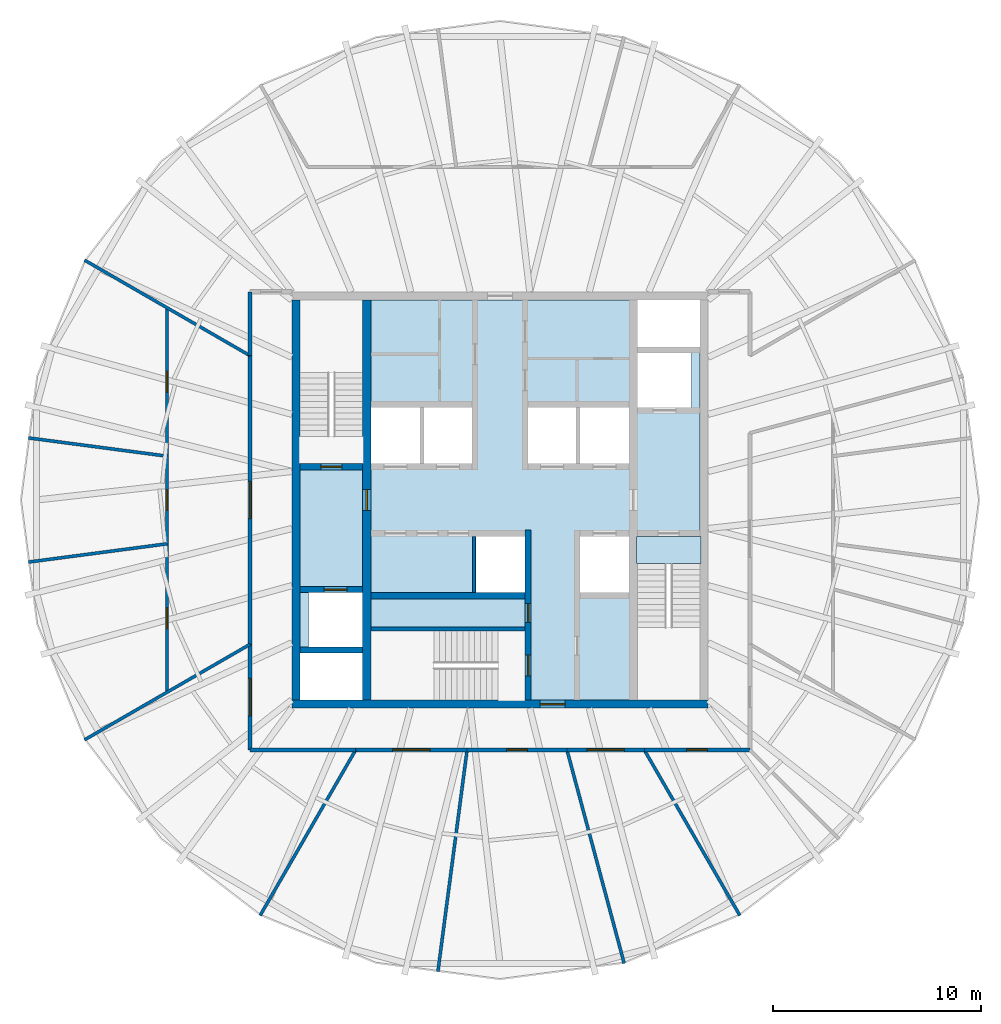
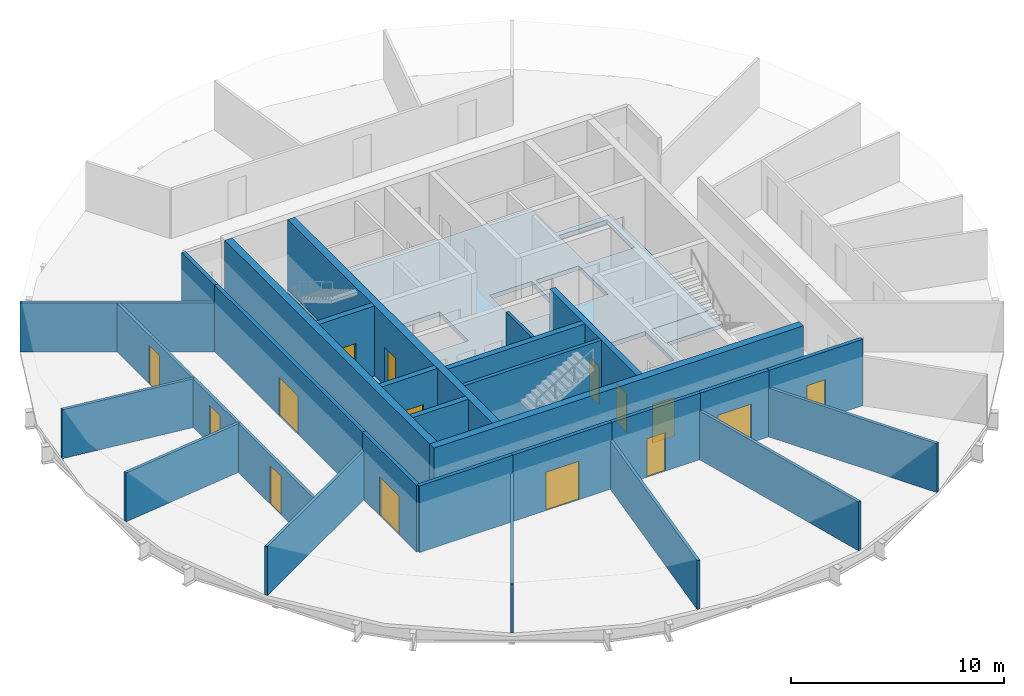
# One storey, part 3 of 6: 27 walls, 15 doors, 2 slabs, 15 openings.
"""IFC4 building model written with IfcOpenShell, lengths in metres."""

from ifc_helpers import new_model, si_unit, direction, frame, frame_2d, origin, place, context, subcontext, project, spatial, polyline, rectangle, outline, extrude, material, layer, layer_set, type_object, element, fill, save


model = new_model("IFC4")

# Units and contexts
model_context = context("Model", 3, precision=1e-05, world=origin(), true_north=direction((0.0, 1.0)))
body_context = subcontext(model_context, "Body", "Model", "MODEL_VIEW")
ifc_project = project(units=[si_unit("LENGTHUNIT", "METRE"), si_unit("AREAUNIT", "SQUARE_METRE"), si_unit("VOLUMEUNIT", "CUBIC_METRE"), si_unit("PLANEANGLEUNIT", "RADIAN"), si_unit("MASSUNIT", "GRAM", prefix="KILO")], contexts=[model_context])

# Site, building, storey
site_placement = place(None, origin())
site = spatial("IfcSite", under=ifc_project, at=site_placement, CompositionType="ELEMENT")
building_placement = place(site_placement, origin())
building = spatial("IfcBuilding", under=site, at=building_placement, Name="Golbaran Civic Tower", CompositionType="ELEMENT")
storey_placement = place(building_placement, frame((0.0, 0.0, 228.0)))
storey = spatial("IfcBuildingStorey", under=building, at=storey_placement, Name="L55", CompositionType="ELEMENT", Elevation=228.0)

# Slabs
ifc_material_1 = material(Name="Concrete C35/45", Category="concrete")
ifc_layer_1 = layer(ifc_material_1, 0.25, Name="Concrete C35/45")
ifc_layer_set_1 = layer_set([ifc_layer_1], Name="Concrete C35/45")
slab_type_1 = type_object("IfcSlabType", Name="CORE FLOOR SLAB 250", PredefinedType="FLOOR", material=ifc_layer_set_1)
slab_1_placement = place(storey_placement, frame((0.0, 0.0, -0.25)))
element("IfcSlab", 1, at=slab_1_placement, inside=storey, type_object=slab_type_1, Name="Core floor slab L55", PredefinedType="FLOOR", context=body_context, shape_type="SweptSolid", body=[
    extrude(outline(polyline([(6.60009765625, -1.75), (6.60009765625, -9.60009765625), (1.199951171875, -9.60009765625), (1.199951171875, -6.300048828125), (-6.199951171875, -6.300048828125), (-6.199951171875, -9.60009765625), (-6.60009765625, -9.60009765625), (-6.60009765625, -7.35009765625), (-9.60009765625, -7.35009765625), (-9.60009765625, 1.75), (-6.60009765625, 1.75), (-6.60009765625, 9.60009765625), (6.60009765625, 9.60009765625), (6.60009765625, 7.35009765625), (9.60009765625, 7.35009765625), (9.60009765625, -1.75), (6.60009765625, -1.75)]), holes=[polyline([(9.199951171875, 7.050048828125), (6.60009765625, 7.050048828125), (6.60009765625, 4.449951171875), (9.199951171875, 4.449951171875), (9.199951171875, 7.050048828125)]), polyline([(6.199951171875, -1.75), (3.85009765625, -1.75), (3.85009765625, -4.449951171875), (6.199951171875, -4.449951171875), (6.199951171875, -1.75)]), polyline([(6.199951171875, 4.449951171875), (3.85009765625, 4.449951171875), (3.85009765625, 1.75), (6.199951171875, 1.75), (6.199951171875, 4.449951171875)]), polyline([(3.64990234375, 4.449951171875), (1.35009765625, 4.449951171875), (1.35009765625, 1.75), (3.64990234375, 1.75), (3.64990234375, 4.449951171875)]), polyline([(-1.14990234375, -1.75), (-1.14990234375, -4.449951171875), (1.199951171875, -4.449951171875), (1.199951171875, -1.75), (-1.14990234375, -1.75)]), polyline([(-1.35009765625, 4.449951171875), (-3.64990234375, 4.449951171875), (-3.64990234375, 1.75), (-1.35009765625, 1.75), (-1.35009765625, 4.449951171875)]), polyline([(-3.85009765625, 4.449951171875), (-6.199951171875, 4.449951171875), (-6.199951171875, 1.75), (-3.85009765625, 1.75), (-3.85009765625, 4.449951171875)]), polyline([(-6.60009765625, -4.449951171875), (-9.199951171875, -4.449951171875), (-9.199951171875, -7.050048828125), (-6.60009765625, -7.050048828125), (-6.60009765625, -4.449951171875)])]), origin(), (0.0, 0.0, 1.0), 0.25),
])
ifc_layer_2 = layer(ifc_material_1, 0.199951171875, Name="Concrete C35/45")
ifc_layer_set_2 = layer_set([ifc_layer_2], Name="Concrete C35/45")
slab_type_2 = type_object("IfcSlabType", Name="STAIR LANDING 200", PredefinedType="LANDING", material=ifc_layer_set_2)
slab_2_placement = place(storey_placement, frame((0.0, 0.0, -0.199951171875)))
element("IfcSlab", 2, at=slab_2_placement, inside=storey, type_object=slab_type_2, Name="Stair S2 floor landing L55", PredefinedType="LANDING", context=body_context, shape_type="SweptSolid", body=[
    extrude(outline(polyline([(9.64990234375, -1.75), (9.64990234375, -3.054931640625), (6.550048828125, -3.054931640625), (6.550048828125, -1.75), (9.64990234375, -1.75)])), origin(), (0.0, 0.0, 1.0), 0.199951171875),
])

# Wall
ifc_material_2 = material(Name="Concrete block", Category="concrete")
ifc_layer_3 = layer(ifc_material_2, 0.14990234375, Name="Concrete block")
ifc_layer_set_3 = layer_set([ifc_layer_3], Name="Concrete block")
wall_type_1 = type_object("IfcWallType", Name="BLOCKWORK PARTITION 150", PredefinedType="PARTITIONING", material=ifc_layer_set_3)
wall_1_placement = place(storey_placement, frame((-1.25, -1.75, 0.0), z_axis=(0.0, 0.0, 1.0), x_axis=(0.0, -1.0, 0.0)))
element("IfcWall", 3, at=wall_1_placement, inside=storey, type_object=wall_type_1, Name="Lift H3 hoistway west wall L55", PredefinedType="PARTITIONING", context=body_context, shape_type="SweptSolid", body=[
    extrude(rectangle(XDim=2.699951171875, YDim=0.14990234375, at=frame_2d((1.35009765625, 0.0))), origin(), (0.0, 0.0, 1.0), 3.75),
])

# Wall, opening, door
ifc_material_3 = material(Name="Concrete C50/60", Category="concrete")
ifc_layer_4 = layer(ifc_material_3, 0.39990234375, Name="Concrete C50/60")
ifc_layer_set_4 = layer_set([ifc_layer_4], Name="Concrete C50/60")
wall_type_2 = type_object("IfcWallType", Name="CORE WALL CONCRETE 400", PredefinedType="SOLIDWALL", material=ifc_layer_set_4)
wall_2_placement = place(storey_placement, frame((10.0, -9.800048828125, 0.0), z_axis=(0.0, 0.0, 1.0), x_axis=(-1.0, 0.0, 0.0)))
wall_2 = element("IfcWall", 4, at=wall_2_placement, inside=storey, type_object=wall_type_2, Name="Core wall CS L55", PredefinedType="SOLIDWALL", context=body_context, shape_type="SweptSolid", body=[
    extrude(rectangle(XDim=20.0, YDim=0.39990234375, at=frame_2d((10.0, 0.0))), origin(), (0.0, 0.0, 1.0), 4.0),
])
opening_1_placement = place(wall_2_placement, frame((6.875, 0.0, 0.0)))
opening_1 = element("IfcOpeningElement", 5, at=opening_1_placement, cuts=wall_2, Name="Opening L55.CS", PredefinedType="OPENING", context=body_context, shape_type="SweptSolid", body=[
    extrude(rectangle(XDim=1.199951171875, YDim=2.199951171875, at=frame_2d((0.60009765625, 1.10009765625))), frame((0.0, 0.2099609375, 0.0), z_axis=(0.0, -1.0, 0.0), x_axis=(1.0, 0.0, 0.0)), (0.0, 0.0, 1.0), 0.419921875),
])
ifc_material_4 = material(Name="Timber door set in steel frame", Category="steel")
door_type_1 = type_object("IfcDoorType", Name="CORE DOOR 1200x2200", OperationType="DOUBLE_DOOR_SINGLE_SWING", PredefinedType="DOOR", material=ifc_material_4)
door_1_placement = place(opening_1_placement, origin())
door_1 = element("IfcDoor", 6, at=door_1_placement, inside=storey, type_object=door_type_1, Name="Core door south", OperationType="DOUBLE_DOOR_SINGLE_SWING", OverallHeight=2.199951171875, OverallWidth=1.199951171875, PredefinedType="DOOR", context=body_context, shape_type="SweptSolid", body=[
    extrude(rectangle(XDim=1.199951171875, YDim=2.199951171875, at=frame_2d((0.60009765625, 1.10009765625))), frame((0.0, 0.02490234375, 0.0), z_axis=(0.0, -1.0, 0.0), x_axis=(1.0, 0.0, 0.0)), (0.0, 0.0, 1.0), 0.050048828125),
])
fill(opening_1, door_1)

# Wall
wall_3_placement = place(storey_placement, frame((-9.800048828125, 9.60009765625, 0.0), z_axis=(0.0, 0.0, 1.0), x_axis=(0.0, -1.0, 0.0)))
element("IfcWall", 7, at=wall_3_placement, inside=storey, type_object=wall_type_2, Name="Core wall CW L55", PredefinedType="SOLIDWALL", context=body_context, shape_type="SweptSolid", body=[
    extrude(rectangle(XDim=19.2001953125, YDim=0.39990234375, at=frame_2d((9.60009765625, 0.0))), origin(), (0.0, 0.0, 1.0), 4.0),
])

# Wall, opening, door
wall_4_placement = place(storey_placement, frame((-6.39990234375, -9.60009765625, 0.0), z_axis=(0.0, 0.0, 1.0), x_axis=(0.0, 1.0, 0.0)))
wall_4 = element("IfcWall", 8, at=wall_4_placement, inside=storey, type_object=wall_type_2, Name="Core wall IW L55", PredefinedType="SOLIDWALL", context=body_context, shape_type="SweptSolid", body=[
    extrude(rectangle(XDim=19.2001953125, YDim=0.39990234375, at=frame_2d((9.60009765625, 0.0))), origin(), (0.0, 0.0, 1.0), 4.0),
])
opening_2_placement = place(wall_4_placement, frame((9.10009765625, 0.0, 0.0)))
opening_2 = element("IfcOpeningElement", 9, at=opening_2_placement, cuts=wall_4, Name="Opening L55.FL1", PredefinedType="OPENING", context=body_context, shape_type="SweptSolid", body=[
    extrude(rectangle(XDim=1.0, YDim=2.199951171875, at=frame_2d((0.5, 1.10009765625))), frame((0.0, 0.2099609375, 0.0), z_axis=(0.0, -1.0, 0.0), x_axis=(1.0, 0.0, 0.0)), (0.0, 0.0, 1.0), 0.419921875),
])
door_type_2 = type_object("IfcDoorType", Name="STAIR DOOR 1000x2200", OperationType="SINGLE_SWING_LEFT", PredefinedType="DOOR", material=ifc_material_4)
door_2_placement = place(opening_2_placement, origin())
door_2 = element("IfcDoor", 10, at=door_2_placement, inside=storey, type_object=door_type_2, Name="Fire-fighting lobby FL1 door", OperationType="SINGLE_SWING_LEFT", OverallHeight=2.199951171875, OverallWidth=1.0, PredefinedType="DOOR", context=body_context, shape_type="SweptSolid", body=[
    extrude(rectangle(XDim=1.0, YDim=2.199951171875, at=frame_2d((0.5, 1.10009765625))), frame((0.0, 0.02490234375, 0.0), z_axis=(0.0, -1.0, 0.0), x_axis=(1.0, 0.0, 0.0)), (0.0, 0.0, 1.0), 0.050048828125),
])
fill(opening_2, door_2)

# Wall
ifc_material_5 = material(Name="Gypsum board on steel studs, fire-rated", Category="steel")
ifc_layer_5 = layer(ifc_material_5, 0.199951171875, Name="Gypsum board on steel studs, fire-rated")
ifc_layer_set_5 = layer_set([ifc_layer_5], Name="Gypsum board on steel studs, fire-rated")
wall_type_3 = type_object("IfcWallType", Name="CORRIDOR WALL 200", PredefinedType="PARTITIONING", material=ifc_layer_set_5)
wall_5_placement = place(storey_placement, frame((-12.0, 10.0, 0.0), z_axis=(0.0, 0.0, 1.0), x_axis=(0.0, -1.0, 0.0)))
element("IfcWall", 11, at=wall_5_placement, inside=storey, type_object=wall_type_3, Name="Corridor wall L55", PredefinedType="PARTITIONING", context=body_context, shape_type="SweptSolid", body=[
    extrude(rectangle(XDim=3.07177734375, YDim=0.199951171875, at=frame_2d((1.535888671875, 0.0))), origin(), (0.0, 0.0, 1.0), 3.800048828125),
])

# Wall, opening, door
wall_6_placement = place(storey_placement, frame((-12.0, 6.92822265625, 0.0), z_axis=(0.0, 0.0, 1.0), x_axis=(0.0, -1.0, 0.0)))
wall_6 = element("IfcWall", 12, at=wall_6_placement, inside=storey, type_object=wall_type_3, Name="Corridor wall L55", PredefinedType="PARTITIONING", context=body_context, shape_type="SweptSolid", body=[
    extrude(rectangle(XDim=13.8564453125, YDim=0.199951171875, at=frame_2d((6.92822265625, 0.0))), origin(), (0.0, 0.0, 1.0), 3.800048828125),
])
opening_3_placement = place(wall_6_placement, frame((6.0283203125, 0.0, 0.0)))
opening_3 = element("IfcOpeningElement", 13, at=opening_3_placement, cuts=wall_6, Name="Opening L55.13", PredefinedType="OPENING", context=body_context, shape_type="SweptSolid", body=[
    extrude(rectangle(XDim=1.800048828125, YDim=2.199951171875, at=frame_2d((0.89990234375, 1.10009765625))), frame((0.0, 0.10986328125, 0.0), z_axis=(0.0, -1.0, 0.0), x_axis=(1.0, 0.0, 0.0)), (0.0, 0.0, 1.0), 0.219970703125),
])
door_type_3 = type_object("IfcDoorType", Name="OFFICE DOUBLE DOOR 1800x2200", OperationType="DOUBLE_DOOR_SINGLE_SWING", PredefinedType="DOOR", material=ifc_material_4)
door_3_placement = place(opening_3_placement, origin())
door_3 = element("IfcDoor", 14, at=door_3_placement, inside=storey, type_object=door_type_3, Name="Open Office door L55", OperationType="DOUBLE_DOOR_SINGLE_SWING", OverallHeight=2.199951171875, OverallWidth=1.800048828125, PredefinedType="DOOR", context=body_context, shape_type="SweptSolid", body=[
    extrude(rectangle(XDim=1.800048828125, YDim=2.199951171875, at=frame_2d((0.89990234375, 1.10009765625))), frame((0.0, 0.02490234375, 0.0), z_axis=(0.0, -1.0, 0.0), x_axis=(1.0, 0.0, 0.0)), (0.0, 0.0, 1.0), 0.050048828125),
])
fill(opening_3, door_3)

wall_7_placement = place(storey_placement, frame((-12.0, -6.92822265625, 0.0), z_axis=(0.0, 0.0, 1.0), x_axis=(0.0, -1.0, 0.0)))
wall_7 = element("IfcWall", 15, at=wall_7_placement, inside=storey, type_object=wall_type_3, Name="Corridor wall L55", PredefinedType="PARTITIONING", context=body_context, shape_type="SweptSolid", body=[
    extrude(rectangle(XDim=5.07177734375, YDim=0.199951171875, at=frame_2d((2.535888671875, 0.0))), origin(), (0.0, 0.0, 1.0), 3.800048828125),
])
opening_4_placement = place(wall_7_placement, frame((1.635986328125, 0.0, 0.0)))
opening_4 = element("IfcOpeningElement", 16, at=opening_4_placement, cuts=wall_7, Name="Opening L55.14", PredefinedType="OPENING", context=body_context, shape_type="SweptSolid", body=[
    extrude(rectangle(XDim=1.800048828125, YDim=2.199951171875, at=frame_2d((0.89990234375, 1.10009765625))), frame((0.0, 0.10986328125, 0.0), z_axis=(0.0, -1.0, 0.0), x_axis=(1.0, 0.0, 0.0)), (0.0, 0.0, 1.0), 0.219970703125),
])
door_4_placement = place(opening_4_placement, origin())
door_4 = element("IfcDoor", 17, at=door_4_placement, inside=storey, type_object=door_type_3, Name="Open Office door L55", OperationType="DOUBLE_DOOR_SINGLE_SWING", OverallHeight=2.199951171875, OverallWidth=1.800048828125, PredefinedType="DOOR", context=body_context, shape_type="SweptSolid", body=[
    extrude(rectangle(XDim=1.800048828125, YDim=2.199951171875, at=frame_2d((0.89990234375, 1.10009765625))), frame((0.0, 0.02490234375, 0.0), z_axis=(0.0, -1.0, 0.0), x_axis=(1.0, 0.0, 0.0)), (0.0, 0.0, 1.0), 0.050048828125),
])
fill(opening_4, door_4)

# Wall
wall_8_placement = place(storey_placement, frame((-12.0, -12.0, 0.0), z_axis=(0.0, 0.0, 1.0), x_axis=(1.0, 0.0, 0.0)))
element("IfcWall", 18, at=wall_8_placement, inside=storey, type_object=wall_type_3, Name="Corridor wall L55", PredefinedType="PARTITIONING", context=body_context, shape_type="SweptSolid", body=[
    extrude(rectangle(XDim=5.07177734375, YDim=0.199951171875, at=frame_2d((2.535888671875, 0.0))), origin(), (0.0, 0.0, 1.0), 3.800048828125),
])

# Wall, opening, door
wall_9_placement = place(storey_placement, frame((-6.92822265625, -12.0, 0.0), z_axis=(0.0, 0.0, 1.0), x_axis=(1.0, 0.0, 0.0)))
wall_9 = element("IfcWall", 19, at=wall_9_placement, inside=storey, type_object=wall_type_3, Name="Corridor wall L55", PredefinedType="PARTITIONING", context=body_context, shape_type="SweptSolid", body=[
    extrude(rectangle(XDim=5.348388671875, YDim=0.199951171875, at=frame_2d((2.67431640625, 0.0))), origin(), (0.0, 0.0, 1.0), 3.800048828125),
])
opening_5_placement = place(wall_9_placement, frame((1.774169921875, 0.0, 0.0)))
opening_5 = element("IfcOpeningElement", 20, at=opening_5_placement, cuts=wall_9, Name="Opening L55.15", PredefinedType="OPENING", context=body_context, shape_type="SweptSolid", body=[
    extrude(rectangle(XDim=1.800048828125, YDim=2.199951171875, at=frame_2d((0.89990234375, 1.10009765625))), frame((0.0, 0.10986328125, 0.0), z_axis=(0.0, -1.0, 0.0), x_axis=(1.0, 0.0, 0.0)), (0.0, 0.0, 1.0), 0.219970703125),
])
door_5_placement = place(opening_5_placement, origin())
door_5 = element("IfcDoor", 21, at=door_5_placement, inside=storey, type_object=door_type_3, Name="Open Office door L55", OperationType="DOUBLE_DOOR_SINGLE_SWING", OverallHeight=2.199951171875, OverallWidth=1.800048828125, PredefinedType="DOOR", context=body_context, shape_type="SweptSolid", body=[
    extrude(rectangle(XDim=1.800048828125, YDim=2.199951171875, at=frame_2d((0.89990234375, 1.10009765625))), frame((0.0, 0.02490234375, 0.0), z_axis=(0.0, -1.0, 0.0), x_axis=(1.0, 0.0, 0.0)), (0.0, 0.0, 1.0), 0.050048828125),
])
fill(opening_5, door_5)

wall_10_placement = place(storey_placement, frame((-1.579833984375, -12.0, 0.0), z_axis=(0.0, 0.0, 1.0), x_axis=(1.0, 0.0, 0.0)))
wall_10 = element("IfcWall", 22, at=wall_10_placement, inside=storey, type_object=wall_type_3, Name="Corridor wall L55", PredefinedType="PARTITIONING", context=body_context, shape_type="SweptSolid", body=[
    extrude(rectangle(XDim=4.795166015625, YDim=0.199951171875, at=frame_2d((2.3974609375, 0.0))), origin(), (0.0, 0.0, 1.0), 3.800048828125),
])
opening_6_placement = place(wall_10_placement, frame((1.897705078125, 0.0, 0.0)))
opening_6 = element("IfcOpeningElement", 23, at=opening_6_placement, cuts=wall_10, Name="Opening L55.16", PredefinedType="OPENING", context=body_context, shape_type="SweptSolid", body=[
    extrude(rectangle(XDim=1.0, YDim=2.199951171875, at=frame_2d((0.5, 1.10009765625))), frame((0.0, 0.10986328125, 0.0), z_axis=(0.0, -1.0, 0.0), x_axis=(1.0, 0.0, 0.0)), (0.0, 0.0, 1.0), 0.219970703125),
])
door_type_4 = type_object("IfcDoorType", Name="OFFICE DOOR 1000x2200", OperationType="SINGLE_SWING_LEFT", PredefinedType="DOOR", material=ifc_material_4)
door_6_placement = place(opening_6_placement, origin())
door_6 = element("IfcDoor", 24, at=door_6_placement, inside=storey, type_object=door_type_4, Name="Project Room door L55", OperationType="SINGLE_SWING_LEFT", OverallHeight=2.199951171875, OverallWidth=1.0, PredefinedType="DOOR", context=body_context, shape_type="SweptSolid", body=[
    extrude(rectangle(XDim=1.0, YDim=2.199951171875, at=frame_2d((0.5, 1.10009765625))), frame((0.0, 0.02490234375, 0.0), z_axis=(0.0, -1.0, 0.0), x_axis=(1.0, 0.0, 0.0)), (0.0, 0.0, 1.0), 0.050048828125),
])
fill(opening_6, door_6)

wall_11_placement = place(storey_placement, frame((3.21533203125, -12.0, 0.0), z_axis=(0.0, 0.0, 1.0), x_axis=(1.0, 0.0, 0.0)))
wall_11 = element("IfcWall", 25, at=wall_11_placement, inside=storey, type_object=wall_type_3, Name="Corridor wall L55", PredefinedType="PARTITIONING", context=body_context, shape_type="SweptSolid", body=[
    extrude(rectangle(XDim=3.712890625, YDim=0.199951171875, at=frame_2d((1.8564453125, 0.0))), origin(), (0.0, 0.0, 1.0), 3.800048828125),
])
opening_7_placement = place(wall_11_placement, frame((0.956298828125, 0.0, 0.0)))
opening_7 = element("IfcOpeningElement", 26, at=opening_7_placement, cuts=wall_11, Name="Opening L55.17", PredefinedType="OPENING", context=body_context, shape_type="SweptSolid", body=[
    extrude(rectangle(XDim=1.800048828125, YDim=2.199951171875, at=frame_2d((0.89990234375, 1.10009765625))), frame((0.0, 0.10986328125, 0.0), z_axis=(0.0, -1.0, 0.0), x_axis=(1.0, 0.0, 0.0)), (0.0, 0.0, 1.0), 0.219970703125),
])
door_7_placement = place(opening_7_placement, origin())
door_7 = element("IfcDoor", 27, at=door_7_placement, inside=storey, type_object=door_type_3, Name="Conference Room door L55", OperationType="DOUBLE_DOOR_SINGLE_SWING", OverallHeight=2.199951171875, OverallWidth=1.800048828125, PredefinedType="DOOR", context=body_context, shape_type="SweptSolid", body=[
    extrude(rectangle(XDim=1.800048828125, YDim=2.199951171875, at=frame_2d((0.89990234375, 1.10009765625))), frame((0.0, 0.02490234375, 0.0), z_axis=(0.0, -1.0, 0.0), x_axis=(1.0, 0.0, 0.0)), (0.0, 0.0, 1.0), 0.050048828125),
])
fill(opening_7, door_7)

wall_12_placement = place(storey_placement, frame((6.92822265625, -12.0, 0.0), z_axis=(0.0, 0.0, 1.0), x_axis=(1.0, 0.0, 0.0)))
wall_12 = element("IfcWall", 28, at=wall_12_placement, inside=storey, type_object=wall_type_3, Name="Corridor wall L55", PredefinedType="PARTITIONING", context=body_context, shape_type="SweptSolid", body=[
    extrude(rectangle(XDim=5.07177734375, YDim=0.199951171875, at=frame_2d((2.535888671875, 0.0))), origin(), (0.0, 0.0, 1.0), 3.800048828125),
])
opening_8_placement = place(wall_12_placement, frame((2.035888671875, 0.0, 0.0)))
opening_8 = element("IfcOpeningElement", 29, at=opening_8_placement, cuts=wall_12, Name="Opening L55.18", PredefinedType="OPENING", context=body_context, shape_type="SweptSolid", body=[
    extrude(rectangle(XDim=1.0, YDim=2.199951171875, at=frame_2d((0.5, 1.10009765625))), frame((0.0, 0.10986328125, 0.0), z_axis=(0.0, -1.0, 0.0), x_axis=(1.0, 0.0, 0.0)), (0.0, 0.0, 1.0), 0.219970703125),
])
door_8_placement = place(opening_8_placement, origin())
door_8 = element("IfcDoor", 30, at=door_8_placement, inside=storey, type_object=door_type_4, Name="Print and Copy Room door L55", OperationType="SINGLE_SWING_LEFT", OverallHeight=2.199951171875, OverallWidth=1.0, PredefinedType="DOOR", context=body_context, shape_type="SweptSolid", body=[
    extrude(rectangle(XDim=1.0, YDim=2.199951171875, at=frame_2d((0.5, 1.10009765625))), frame((0.0, 0.02490234375, 0.0), z_axis=(0.0, -1.0, 0.0), x_axis=(1.0, 0.0, 0.0)), (0.0, 0.0, 1.0), 0.050048828125),
])
fill(opening_8, door_8)

# Walls
ifc_material_6 = material(Name="Gypsum board on steel studs", Category="steel")
ifc_layer_6 = layer(ifc_material_6, 0.14990234375, Name="Gypsum board on steel studs")
ifc_layer_set_6 = layer_set([ifc_layer_6], Name="Gypsum board on steel studs")
wall_type_4 = type_object("IfcWallType", Name="OFFICE PARTITION 150", PredefinedType="PARTITIONING", material=ifc_layer_set_6)
for number, where, z_axis, x_axis, name in (
    (31, (-12.0, 6.92822265625, 0.0), (0.0, 0.0, 1.0), (-0.866021843099, 0.500006167237, 0.0), "Partition 150 L55"),
    (32, (-12.0, -6.92822265625, 0.0), (0.0, 0.0, 1.0), (-0.866021843099, -0.500006167237, 0.0), "Partition 210 L55"),
    (33, (-6.92822265625, -12.0, 0.0), (0.0, 0.0, 1.0), (-0.500006167237, -0.866021843099, 0.0), "Partition 240 L55"),
):
    element("IfcWall", number, at=place(storey_placement, frame(where, z_axis=z_axis, x_axis=x_axis)), inside=storey, type_object=wall_type_4, Name=name, PredefinedType="PARTITIONING", context=body_context, shape_type="SweptSolid", body=[
        extrude(rectangle(XDim=9.18701171875, YDim=0.14990234375, at=frame_2d((4.593505859375, 0.0))), origin(), (0.0, 0.0, 1.0), 2.7900390625),
    ])
wall_13_placement = place(storey_placement, frame((-1.579833984375, -12.0, 0.0), z_axis=(0.0, 0.0, 1.0), x_axis=(-0.130518592205, -0.991445861905, 0.0)))
element("IfcWall", 34, at=wall_13_placement, inside=storey, type_object=wall_type_4, Name="Partition 262.5 L55", PredefinedType="PARTITIONING", context=body_context, shape_type="SweptSolid", body=[
    extrude(rectangle(XDim=10.742431640625, YDim=0.14990234375, at=frame_2d((5.37109375, 0.0))), origin(), (0.0, 0.0, 1.0), 2.7900390625),
])
wall_14_placement = place(storey_placement, frame((3.21533203125, -12.0, 0.0), z_axis=(0.0, 0.0, 1.0), x_axis=(0.258831459304, -0.965922499828, 0.0)))
element("IfcWall", 35, at=wall_14_placement, inside=storey, type_object=wall_type_4, Name="Partition 285 L55", PredefinedType="PARTITIONING", context=body_context, shape_type="SweptSolid", body=[
    extrude(rectangle(XDim=10.619873046875, YDim=0.14990234375, at=frame_2d((5.31005859375, 0.0))), origin(), (0.0, 0.0, 1.0), 2.7900390625),
])
wall_15_placement = place(storey_placement, frame((6.92822265625, -12.0, 0.0), z_axis=(0.0, 0.0, 1.0), x_axis=(0.500006167237, -0.866021843099, 0.0)))
element("IfcWall", 36, at=wall_15_placement, inside=storey, type_object=wall_type_4, Name="Partition 300 L55", PredefinedType="PARTITIONING", context=body_context, shape_type="SweptSolid", body=[
    extrude(rectangle(XDim=9.18701171875, YDim=0.14990234375, at=frame_2d((4.593505859375, 0.0))), origin(), (0.0, 0.0, 1.0), 2.7900390625),
])

# Wall, openings, doors
wall_16_placement = place(storey_placement, frame((-16.0, 9.237548828125, 0.0), z_axis=(0.0, 0.0, 1.0), x_axis=(0.0, -1.0, 0.0)))
wall_16 = element("IfcWall", 37, at=wall_16_placement, inside=storey, type_object=wall_type_4, Name="Suite partition L55", PredefinedType="PARTITIONING", context=body_context, shape_type="SweptSolid", body=[
    extrude(rectangle(XDim=18.47509765625, YDim=0.14990234375, at=frame_2d((9.237548828125, 0.0))), origin(), (0.0, 0.0, 1.0), 2.7900390625),
])
opening_9_placement = place(wall_16_placement, frame((3.065673828125, 0.0, 0.0)))
opening_9 = element("IfcOpeningElement", 38, at=opening_9_placement, cuts=wall_16, Name="Opening L55.09", PredefinedType="OPENING", context=body_context, shape_type="SweptSolid", body=[
    extrude(rectangle(XDim=1.0, YDim=2.199951171875, at=frame_2d((0.5, 1.10009765625))), frame((0.0, 0.0849609375, 0.0), z_axis=(0.0, -1.0, 0.0), x_axis=(1.0, 0.0, 0.0)), (0.0, 0.0, 1.0), 0.169921875),
])
opening_10_placement = place(wall_16_placement, frame((8.737548828125, 0.0, 0.0)))
opening_10 = element("IfcOpeningElement", 39, at=opening_10_placement, cuts=wall_16, Name="Opening L55.10", PredefinedType="OPENING", context=body_context, shape_type="SweptSolid", body=[
    extrude(rectangle(XDim=1.0, YDim=2.199951171875, at=frame_2d((0.5, 1.10009765625))), frame((0.0, 0.0849609375, 0.0), z_axis=(0.0, -1.0, 0.0), x_axis=(1.0, 0.0, 0.0)), (0.0, 0.0, 1.0), 0.169921875),
])
opening_11_placement = place(wall_16_placement, frame((14.40966796875, 0.0, 0.0)))
opening_11 = element("IfcOpeningElement", 40, at=opening_11_placement, cuts=wall_16, Name="Opening L55.11", PredefinedType="OPENING", context=body_context, shape_type="SweptSolid", body=[
    extrude(rectangle(XDim=1.0, YDim=2.199951171875, at=frame_2d((0.5, 1.10009765625))), frame((0.0, 0.0849609375, 0.0), z_axis=(0.0, -1.0, 0.0), x_axis=(1.0, 0.0, 0.0)), (0.0, 0.0, 1.0), 0.169921875),
])
door_9_placement = place(opening_9_placement, origin())
door_9 = element("IfcDoor", 41, at=door_9_placement, inside=storey, type_object=door_type_4, Name="Meeting Room door L55", OperationType="SINGLE_SWING_LEFT", OverallHeight=2.199951171875, OverallWidth=1.0, PredefinedType="DOOR", context=body_context, shape_type="SweptSolid", body=[
    extrude(rectangle(XDim=1.0, YDim=2.199951171875, at=frame_2d((0.5, 1.10009765625))), frame((0.0, 0.02490234375, 0.0), z_axis=(0.0, -1.0, 0.0), x_axis=(1.0, 0.0, 0.0)), (0.0, 0.0, 1.0), 0.050048828125),
])
fill(opening_9, door_9)
door_10_placement = place(opening_10_placement, origin())
door_10 = element("IfcDoor", 42, at=door_10_placement, inside=storey, type_object=door_type_4, Name="Office door L55", OperationType="SINGLE_SWING_RIGHT", OverallHeight=2.199951171875, OverallWidth=1.0, PredefinedType="DOOR", context=body_context, shape_type="SweptSolid", body=[
    extrude(rectangle(XDim=1.0, YDim=2.199951171875, at=frame_2d((0.5, 1.10009765625))), frame((0.0, 0.02490234375, 0.0), z_axis=(0.0, -1.0, 0.0), x_axis=(1.0, 0.0, 0.0)), (0.0, 0.0, 1.0), 0.050048828125),
])
fill(opening_10, door_10)
door_11_placement = place(opening_11_placement, origin())
door_11 = element("IfcDoor", 43, at=door_11_placement, inside=storey, type_object=door_type_4, Name="Office door L55", OperationType="SINGLE_SWING_RIGHT", OverallHeight=2.199951171875, OverallWidth=1.0, PredefinedType="DOOR", context=body_context, shape_type="SweptSolid", body=[
    extrude(rectangle(XDim=1.0, YDim=2.199951171875, at=frame_2d((0.5, 1.10009765625))), frame((0.0, 0.02490234375, 0.0), z_axis=(0.0, -1.0, 0.0), x_axis=(1.0, 0.0, 0.0)), (0.0, 0.0, 1.0), 0.050048828125),
])
fill(opening_11, door_11)

# Walls
for number, where, z_axis, x_axis, name in (
    (44, (-16.0, 2.1064453125, 0.0), (0.0, 0.0, 1.0), (-0.99144648945, 0.130513825159, 0.0), "Partition 172.5 L55"),
    (45, (-16.0, -2.1064453125, 0.0), (0.0, 0.0, 1.0), (-0.99144648945, -0.130513825159, 0.0), "Partition 187.5 L55"),
):
    element("IfcWall", number, at=place(storey_placement, frame(where, z_axis=z_axis, x_axis=x_axis)), inside=storey, type_object=wall_type_4, Name=name, PredefinedType="PARTITIONING", context=body_context, shape_type="SweptSolid", body=[
        extrude(rectangle(XDim=6.7080078125, YDim=0.14990234375, at=frame_2d((3.35400390625, 0.0))), origin(), (0.0, 0.0, 1.0), 2.7900390625),
    ])
ifc_layer_7 = layer(ifc_material_3, 0.199951171875, Name="Concrete C50/60")
ifc_layer_set_7 = layer_set([ifc_layer_7], Name="Concrete C50/60")
wall_type_5 = type_object("IfcWallType", Name="SHAFT WALL CONCRETE 200", PredefinedType="SOLIDWALL", material=ifc_layer_set_7)
wall_17_placement = place(storey_placement, frame((-6.199951171875, -6.199951171875, 0.0), z_axis=(0.0, 0.0, 1.0), x_axis=(1.0, 0.0, 0.0)))
element("IfcWall", 46, at=wall_17_placement, inside=storey, type_object=wall_type_5, Name="Core wall S3N L55", PredefinedType="SOLIDWALL", context=body_context, shape_type="SweptSolid", body=[
    extrude(rectangle(XDim=7.39990234375, YDim=0.199951171875, at=frame_2d((3.699951171875, 0.0))), origin(), (0.0, 0.0, 1.0), 4.0),
])
ifc_layer_8 = layer(ifc_material_3, 0.300048828125, Name="Concrete C50/60")
ifc_layer_set_8 = layer_set([ifc_layer_8], Name="Concrete C50/60")
wall_type_6 = type_object("IfcWallType", Name="SHAFT WALL CONCRETE 300", PredefinedType="SOLIDWALL", material=ifc_layer_set_8)
wall_18_placement = place(storey_placement, frame((-6.199951171875, -4.60009765625, 0.0), z_axis=(0.0, 0.0, 1.0), x_axis=(1.0, 0.0, 0.0)))
element("IfcWall", 47, at=wall_18_placement, inside=storey, type_object=wall_type_6, Name="Core wall BSW L55", PredefinedType="SOLIDWALL", context=body_context, shape_type="SweptSolid", body=[
    extrude(rectangle(XDim=7.39990234375, YDim=0.300048828125, at=frame_2d((3.699951171875, 0.0))), origin(), (0.0, 0.0, 1.0), 4.0),
])

# Wall, openings, doors
wall_19_placement = place(storey_placement, frame((1.35009765625, -1.449951171875, 0.0), z_axis=(0.0, 0.0, 1.0), x_axis=(0.0, -1.0, 0.0)))
wall_19 = element("IfcWall", 48, at=wall_19_placement, inside=storey, type_object=wall_type_6, Name="Core wall PSW L55", PredefinedType="SOLIDWALL", context=body_context, shape_type="SweptSolid", body=[
    extrude(rectangle(XDim=8.150146484375, YDim=0.300048828125, at=frame_2d((4.0751953125, 0.0))), origin(), (0.0, 0.0, 1.0), 4.0),
])
opening_12_placement = place(wall_19_placement, frame((6.0, 0.0, 0.0)))
opening_12 = element("IfcOpeningElement", 49, at=opening_12_placement, cuts=wall_19, Name="Opening L55.S3", PredefinedType="OPENING", context=body_context, shape_type="SweptSolid", body=[
    extrude(rectangle(XDim=1.0, YDim=2.199951171875, at=frame_2d((0.5, 1.10009765625))), frame((0.0, 0.159912109375, 0.0), z_axis=(0.0, -1.0, 0.0), x_axis=(1.0, 0.0, 0.0)), (0.0, 0.0, 1.0), 0.320068359375),
])
opening_13_placement = place(wall_19_placement, frame((3.52490234375, 0.0, 0.0)))
opening_13 = element("IfcOpeningElement", 50, at=opening_13_placement, cuts=wall_19, Name="Opening L55.RE", PredefinedType="OPENING", context=body_context, shape_type="SweptSolid", body=[
    extrude(rectangle(XDim=0.89990234375, YDim=2.199951171875, at=frame_2d((0.449951171875, 1.10009765625))), frame((0.0, 0.159912109375, 0.0), z_axis=(0.0, -1.0, 0.0), x_axis=(1.0, 0.0, 0.0)), (0.0, 0.0, 1.0), 0.320068359375),
])
door_type_5 = type_object("IfcDoorType", Name="RISER DOOR 900x2200", OperationType="SINGLE_SWING_LEFT", PredefinedType="DOOR", material=ifc_material_4)
door_12_placement = place(opening_13_placement, origin())
door_12 = element("IfcDoor", 51, at=door_12_placement, inside=storey, type_object=door_type_5, Name="Electrical riser door", OperationType="SINGLE_SWING_LEFT", OverallHeight=2.199951171875, OverallWidth=0.89990234375, PredefinedType="DOOR", context=body_context, shape_type="SweptSolid", body=[
    extrude(rectangle(XDim=0.89990234375, YDim=2.199951171875, at=frame_2d((0.449951171875, 1.10009765625))), frame((0.0, 0.02490234375, 0.0), z_axis=(0.0, -1.0, 0.0), x_axis=(1.0, 0.0, 0.0)), (0.0, 0.0, 1.0), 0.050048828125),
])
fill(opening_13, door_12)
door_13_placement = place(opening_12_placement, origin())
door_13 = element("IfcDoor", 52, at=door_13_placement, inside=storey, type_object=door_type_2, Name="Stair S3 door", OperationType="SINGLE_SWING_RIGHT", OverallHeight=2.199951171875, OverallWidth=1.0, PredefinedType="DOOR", context=body_context, shape_type="SweptSolid", body=[
    extrude(rectangle(XDim=1.0, YDim=2.199951171875, at=frame_2d((0.5, 1.10009765625))), frame((0.0, 0.02490234375, 0.0), z_axis=(0.0, -1.0, 0.0), x_axis=(1.0, 0.0, 0.0)), (0.0, 0.0, 1.0), 0.050048828125),
])
fill(opening_12, door_13)

# Wall, opening, door
wall_20_placement = place(storey_placement, frame((-9.60009765625, 1.60009765625, 0.0), z_axis=(0.0, 0.0, 1.0), x_axis=(1.0, 0.0, 0.0)))
wall_20 = element("IfcWall", 53, at=wall_20_placement, inside=storey, type_object=wall_type_6, Name="Core wall XW1 L55", PredefinedType="SOLIDWALL", context=body_context, shape_type="SweptSolid", body=[
    extrude(rectangle(XDim=3.0, YDim=0.300048828125, at=frame_2d((1.5, 0.0))), origin(), (0.0, 0.0, 1.0), 4.0),
])
opening_14_placement = place(wall_20_placement, frame((1.0, 0.0, 0.0)))
opening_14 = element("IfcOpeningElement", 54, at=opening_14_placement, cuts=wall_20, Name="Opening L55.S1", PredefinedType="OPENING", context=body_context, shape_type="SweptSolid", body=[
    extrude(rectangle(XDim=1.0, YDim=2.199951171875, at=frame_2d((0.5, 1.10009765625))), frame((0.0, 0.159912109375, 0.0), z_axis=(0.0, -1.0, 0.0), x_axis=(1.0, 0.0, 0.0)), (0.0, 0.0, 1.0), 0.320068359375),
])
door_14_placement = place(opening_14_placement, origin())
door_14 = element("IfcDoor", 55, at=door_14_placement, inside=storey, type_object=door_type_2, Name="Stair S1 door", OperationType="SINGLE_SWING_LEFT", OverallHeight=2.199951171875, OverallWidth=1.0, PredefinedType="DOOR", context=body_context, shape_type="SweptSolid", body=[
    extrude(rectangle(XDim=1.0, YDim=2.199951171875, at=frame_2d((0.5, 1.10009765625))), frame((0.0, 0.02490234375, 0.0), z_axis=(0.0, -1.0, 0.0), x_axis=(1.0, 0.0, 0.0)), (0.0, 0.0, 1.0), 0.050048828125),
])
fill(opening_14, door_14)

wall_21_placement = place(storey_placement, frame((-9.60009765625, -4.300048828125, 0.0), z_axis=(0.0, 0.0, 1.0), x_axis=(1.0, 0.0, 0.0)))
wall_21 = element("IfcWall", 56, at=wall_21_placement, inside=storey, type_object=wall_type_6, Name="Core wall XW2 L55", PredefinedType="SOLIDWALL", context=body_context, shape_type="SweptSolid", body=[
    extrude(rectangle(XDim=3.0, YDim=0.300048828125, at=frame_2d((1.5, 0.0))), origin(), (0.0, 0.0, 1.0), 4.0),
])
opening_15_placement = place(wall_21_placement, frame((1.14990234375, 0.0, 0.0)))
opening_15 = element("IfcOpeningElement", 57, at=opening_15_placement, cuts=wall_21, Name="Opening L55.LD-F1", PredefinedType="OPENING", context=body_context, shape_type="SweptSolid", body=[
    extrude(rectangle(XDim=1.10009765625, YDim=2.199951171875, at=frame_2d((0.550048828125, 1.10009765625))), frame((0.0, 0.159912109375, 0.0), z_axis=(0.0, -1.0, 0.0), x_axis=(1.0, 0.0, 0.0)), (0.0, 0.0, 1.0), 0.320068359375),
])
ifc_material_7 = material(Name="Stainless steel", Category="steel")
door_type_6 = type_object("IfcDoorType", Name="LIFT LANDING DOOR 1100x2200", OperationType="SLIDING_TO_LEFT", PredefinedType="DOOR", material=ifc_material_7)
door_15_placement = place(opening_15_placement, origin())
door_15 = element("IfcDoor", 58, at=door_15_placement, inside=storey, type_object=door_type_6, Name="Lift landing door F1", OperationType="SLIDING_TO_LEFT", OverallHeight=2.199951171875, OverallWidth=1.10009765625, PredefinedType="DOOR", context=body_context, shape_type="SweptSolid", body=[
    extrude(rectangle(XDim=1.10009765625, YDim=2.199951171875, at=frame_2d((0.550048828125, 1.10009765625))), frame((0.0, 0.02490234375, 0.0), z_axis=(0.0, -1.0, 0.0), x_axis=(1.0, 0.0, 0.0)), (0.0, 0.0, 1.0), 0.050048828125),
])
fill(opening_15, door_15)

# Wall
wall_22_placement = place(storey_placement, frame((-9.60009765625, -7.199951171875, 0.0), z_axis=(0.0, 0.0, 1.0), x_axis=(1.0, 0.0, 0.0)))
element("IfcWall", 59, at=wall_22_placement, inside=storey, type_object=wall_type_6, Name="Core wall XW3 L55", PredefinedType="SOLIDWALL", context=body_context, shape_type="SweptSolid", body=[
    extrude(rectangle(XDim=3.0, YDim=0.300048828125, at=frame_2d((1.5, 0.0))), origin(), (0.0, 0.0, 1.0), 4.0),
])

save(model, "model.ifc")
